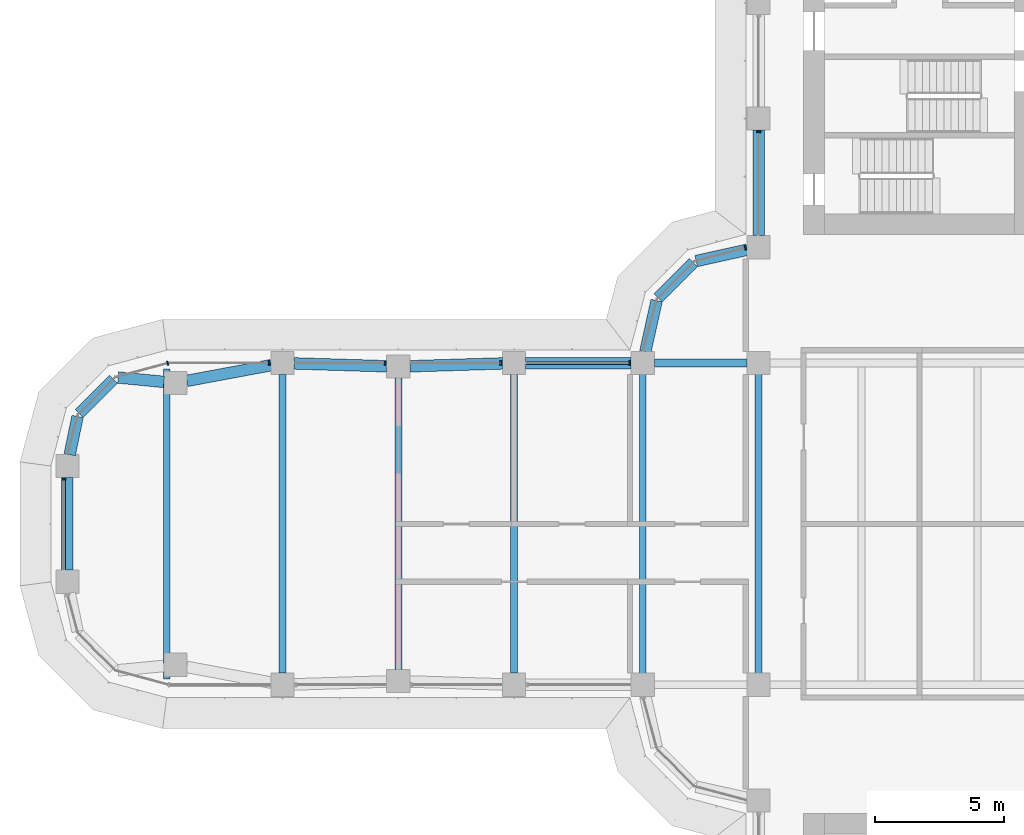
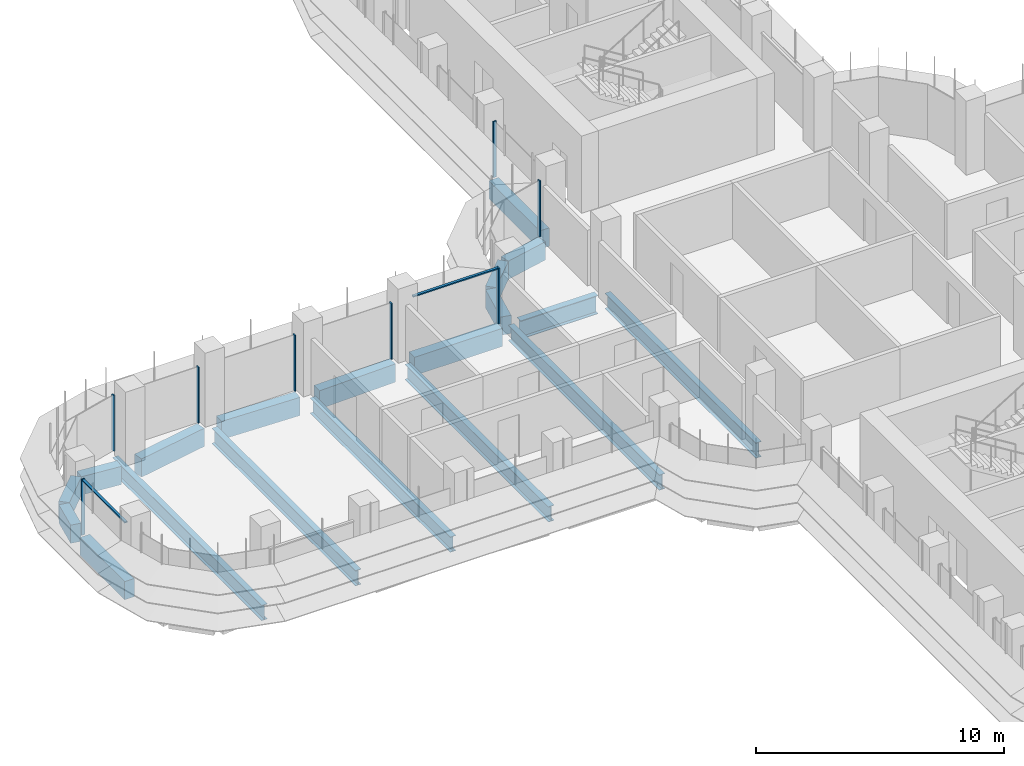
# One storey, part 6 of 22: 19 beams, 10 members, 5 elements without a shape of their own.
"""IFC4 building model written with IfcOpenShell, lengths in metres."""

import ifcopenshell
import ifcopenshell.guid

model = None  # the IFC model being written
_history = None  # IfcOwnerHistory: only IFC2X3 demands one
_inside = {}  # id of a spatial element -> (the spatial element, [elements in it])
_under = {}  # id of a project, library or spatial element -> (it, [spatial elements below it])
_declared = {}  # id of a project -> (the project, [libraries it declares])
_typed = {}  # id of a type object -> (the type object, [elements of that type])
_made_of = {}  # id of a material, layer set ... -> (it, [elements and type objects made of it])


def new_model(schema):
    """Start an empty IFC model of exactly this schema.

    Asked for "IFC4X3", IfcOpenShell would pick the latest addendum, in which some entities
    have other attributes; the version numbers below select the first issue.
    IFC2X3 requires an IfcOwnerHistory on every rooted entity: one is made here for all.
    """
    global model, _history
    if schema == "IFC4X3":
        model = ifcopenshell.file(schema_version=(4, 3, 0, 0))
    else:
        model = ifcopenshell.file(schema=schema)
    _inside.clear()
    _under.clear()
    _declared.clear()
    _typed.clear()
    _made_of.clear()
    _history = None
    if model.schema == "IFC2X3":
        org = make("IfcOrganization", Name="unknown")
        user = make(
            "IfcPersonAndOrganization",
            ThePerson=make("IfcPerson", FamilyName="unknown"),
            TheOrganization=org,
        )
        app = make(
            "IfcApplication",
            ApplicationDeveloper=org,
            Version="unknown",
            ApplicationFullName="unknown",
            ApplicationIdentifier="unknown",
        )
        _history = make(
            "IfcOwnerHistory",
            OwningUser=user,
            OwningApplication=app,
            ChangeAction="ADDED",
            CreationDate=0,
        )
    return model


def make(cls, **values):
    """One entity of the class cls with the attributes given. An attribute that is None is left unset."""
    return model.create_entity(
        cls, **{name: value for name, value in values.items() if value is not None}
    )


def rooted(cls, **values):
    """An entity with a GlobalId (a new one), such as an element, a storey or a relation."""
    return make(cls, GlobalId=ifcopenshell.guid.new(), OwnerHistory=_history, **values)


def si_unit(unit_type, name, prefix=None):
    """IfcSIUnit, for example si_unit("LENGTHUNIT", "METRE", prefix="MILLI")."""
    return make("IfcSIUnit", UnitType=unit_type, Prefix=prefix, Name=name)


def assignment(units):
    """IfcUnitAssignment: the units of a project."""
    return None if units is None else make("IfcUnitAssignment", Units=units)


def point(xyz):
    """IfcCartesianPoint."""
    return None if xyz is None else make("IfcCartesianPoint", Coordinates=xyz)


def direction(xyz):
    """IfcDirection."""
    return None if xyz is None else make("IfcDirection", DirectionRatios=xyz)


def frame(location, z_axis=None, x_axis=None):
    """IfcAxis2Placement3D, a coordinate frame: its origin and axes. An axis left out is left unset."""
    return make(
        "IfcAxis2Placement3D",
        Location=point(location),
        Axis=direction(z_axis),
        RefDirection=direction(x_axis),
    )


def frame_2d(location, x_axis=None):
    """IfcAxis2Placement2D, a coordinate frame in the plane: its origin and x axis."""
    return make(
        "IfcAxis2Placement2D", Location=point(location), RefDirection=direction(x_axis)
    )


def origin():
    """The frame at (0, 0, 0) with its axes left unset."""
    return frame((0.0, 0.0, 0.0))


def origin_2d():
    """The frame at (0, 0) in the plane with its x axis left unset."""
    return frame_2d((0.0, 0.0))


def place(relative_to, where):
    """IfcLocalPlacement: puts the frame where relative to a parent placement (None: the world)."""
    return make(
        "IfcLocalPlacement", PlacementRelTo=relative_to, RelativePlacement=where
    )


def context(
    kind, dimensions, precision=None, world=None, true_north=None, identifier=None
):
    """IfcGeometricRepresentationContext, for example the 3D "Model" context."""
    return make(
        "IfcGeometricRepresentationContext",
        ContextIdentifier=identifier,
        ContextType=kind,
        CoordinateSpaceDimension=dimensions,
        Precision=precision,
        WorldCoordinateSystem=world,
        TrueNorth=true_north,
    )


def subcontext(parent, identifier, kind, view, scale=None):
    """IfcGeometricRepresentationSubContext, for example "Body" below "Model"."""
    return make(
        "IfcGeometricRepresentationSubContext",
        ContextIdentifier=identifier,
        ContextType=kind,
        ParentContext=parent,
        TargetScale=scale,
        TargetView=view,
    )


def project(units=None, contexts=None):
    """IfcProject with its units and contexts."""
    return rooted(
        "IfcProject",
        Name="project",
        RepresentationContexts=contexts,
        UnitsInContext=assignment(units),
    )


def spatial(cls, under=None, at=None, **own):
    """A site, building, storey or space (cls), placed at a placement, below another one or the project."""
    s = rooted(cls, ObjectPlacement=at, **own)
    if under is not None:
        _under.setdefault(under.id(), (under, []))[1].append(s)
    return s


def polyline(points):
    """IfcPolyline through the points."""
    return make("IfcPolyline", Points=[point(p) for p in points])


def profile(cls, at=None, kind="AREA", **sizes):
    """A parametric profile (cls). Its sizes go by their IFC names, for example OverallWidth=200.0."""
    return make(cls, ProfileType=kind, Position=at, **sizes)


def rectangle(**sizes):
    """IfcRectangleProfileDef."""
    return profile("IfcRectangleProfileDef", **sizes)


def i_section(**sizes):
    """IfcIShapeProfileDef."""
    return profile("IfcIShapeProfileDef", **sizes)


def outline(outer, holes=None, kind="AREA"):
    """IfcArbitraryClosedProfileDef: a profile drawn as a closed curve; with holes, ...WithVoids."""
    if holes is None:
        return make("IfcArbitraryClosedProfileDef", ProfileType=kind, OuterCurve=outer)
    return make(
        "IfcArbitraryProfileDefWithVoids",
        ProfileType=kind,
        OuterCurve=outer,
        InnerCurves=holes,
    )


def extrude(swept, where, along, depth):
    """IfcExtrudedAreaSolid: the profile swept, set in the frame where, extruded along a direction by depth."""
    return make(
        "IfcExtrudedAreaSolid",
        SweptArea=swept,
        Position=where,
        ExtrudedDirection=direction(along),
        Depth=depth,
    )


def shape(context_of_items, identifier, shape_type, items):
    """IfcShapeRepresentation: the items that make up one representation, for example the "Body"."""
    return make(
        "IfcShapeRepresentation",
        ContextOfItems=context_of_items,
        RepresentationIdentifier=identifier,
        RepresentationType=shape_type,
        Items=items,
    )


def source(mapping_origin, context_of_items, identifier, shape_type, items):
    """IfcRepresentationMap: a shape defined once, which mapped items show again and again."""
    return make(
        "IfcRepresentationMap",
        MappingOrigin=mapping_origin,
        MappedRepresentation=shape(context_of_items, identifier, shape_type, items),
    )


def transform(
    local_origin,
    x_axis=None,
    y_axis=None,
    z_axis=None,
    scale=None,
    scale2=None,
    scale3=None,
    uniform=True,
):
    """IfcCartesianTransformationOperator3D, or its non-uniform kind. x_axis, y_axis, z_axis: its Axis1, 2, 3."""
    if uniform:
        return make(
            "IfcCartesianTransformationOperator3D",
            Axis1=direction(x_axis),
            Axis2=direction(y_axis),
            LocalOrigin=point(local_origin),
            Scale=scale,
            Axis3=direction(z_axis),
        )
    return make(
        "IfcCartesianTransformationOperator3DnonUniform",
        Axis1=direction(x_axis),
        Axis2=direction(y_axis),
        LocalOrigin=point(local_origin),
        Scale=scale,
        Axis3=direction(z_axis),
        Scale2=scale2,
        Scale3=scale3,
    )


def mapped(mapping_source, mapping_target):
    """IfcMappedItem: shows the shape of a source again, moved by a transform."""
    return make(
        "IfcMappedItem", MappingSource=mapping_source, MappingTarget=mapping_target
    )


def material(Name=None, Category=None):
    """IfcMaterial."""
    return make("IfcMaterial", Name=Name, Category=Category)


def material_profile(
    of_material, cross_section, Name=None, Category=None, Priority=None
):
    """IfcMaterialProfile: a cross section and its material."""
    return make(
        "IfcMaterialProfile",
        Name=Name,
        Material=of_material,
        Profile=cross_section,
        Priority=Priority,
        Category=Category,
    )


def profile_set(profiles, Name=None, composite=None):
    """IfcMaterialProfileSet."""
    return make(
        "IfcMaterialProfileSet",
        Name=Name,
        MaterialProfiles=profiles,
        CompositeProfile=composite,
    )


def made_of(thing, what):
    """Note that an element or type object is made of a material, layer set ...; save() writes the relation."""
    if what is not None:
        _made_of.setdefault(what.id(), (what, []))[1].append(thing)
    return thing


def type_object(cls, material=None, **own):
    """A type object (cls), such as IfcWallType, which elements share."""
    return made_of(rooted(cls, **own), material)


def element(
    cls,
    number,
    at=None,
    inside=None,
    cuts=None,
    type_object=None,
    material=None,
    context=None,
    identifier="Body",
    shape_type=None,
    held_by="IfcProductDefinitionShape",
    body=None,
    shapes=None,
    **own,
):
    """One element of the class cls, such as IfcWall. Its Tag is "e" and its number.

    at: its placement. inside: the storey or other place that contains it. cuts: it is an
    opening in that element (IfcRelVoidsElement). A single representation is given by context,
    identifier, shape_type and body (its items); several are given by shapes. held_by: the class
    of the entity that holds the representations. save() writes the other relations.
    """
    e = rooted(cls, Tag="e%d" % number, ObjectPlacement=at, **own)
    if body is not None:
        shapes = [shape(context, identifier, shape_type, body)]
    if shapes is not None:
        e.Representation = make(held_by, Representations=shapes)
    if inside is not None:
        _inside.setdefault(inside.id(), (inside, []))[1].append(e)
    if cuts is not None:
        rooted(
            "IfcRelVoidsElement", RelatingBuildingElement=cuts, RelatedOpeningElement=e
        )
    if type_object is not None:
        _typed.setdefault(type_object.id(), (type_object, []))[1].append(e)
    return made_of(e, material)


def aggregate(whole, parts):
    """IfcRelAggregates: a whole, such as a stair, and the parts it consists of."""
    return rooted("IfcRelAggregates", RelatingObject=whole, RelatedObjects=parts)


def save(model, path):
    """Write the relations noted so far, then the file.

    IfcRelAggregates (storeys below a building ...), IfcRelContainedInSpatialStructure (elements
    in a storey), IfcRelDefinesByType, IfcRelAssociatesMaterial and IfcRelDeclares: one each for
    every whole, place, type object, material and project.
    """
    for whole, parts in _under.values():
        aggregate(whole, parts)
    for where, things in _inside.values():
        rooted(
            "IfcRelContainedInSpatialStructure",
            RelatedElements=things,
            RelatingStructure=where,
        )
    for kind, things in _typed.values():
        rooted("IfcRelDefinesByType", RelatedObjects=things, RelatingType=kind)
    for what, things in _made_of.values():
        rooted("IfcRelAssociatesMaterial", RelatedObjects=things, RelatingMaterial=what)
    for by, libraries in _declared.values():
        rooted("IfcRelDeclares", RelatingContext=by, RelatedDefinitions=libraries)
    model.write(path)


model = new_model("IFC4")

# Units and contexts
model_context = context("Model", 3, precision=1e-05, world=origin(), true_north=direction((0.0, 1.0)))
body_context = subcontext(model_context, "Body", "Model", "MODEL_VIEW")
ifc_project = project(units=[si_unit("LENGTHUNIT", "METRE"), si_unit("AREAUNIT", "SQUARE_METRE"), si_unit("VOLUMEUNIT", "CUBIC_METRE"), si_unit("PLANEANGLEUNIT", "RADIAN"), si_unit("MASSUNIT", "GRAM", prefix="KILO")], contexts=[model_context])

# Site, building, storey
site_placement = place(None, origin())
site = spatial("IfcSite", under=ifc_project, at=site_placement, CompositionType="ELEMENT")
building_placement = place(site_placement, origin())
building = spatial("IfcBuilding", under=site, at=building_placement, Name="Zarbagh Exchange Tower", CompositionType="ELEMENT")
storey_placement = place(building_placement, frame((0.0, 0.0, 113.199951171875)))
storey = spatial("IfcBuildingStorey", under=building, at=storey_placement, Name="L26", CompositionType="ELEMENT", Elevation=113.199951171875)

# Beams
ifc_material_1 = material(Name="Steel ASTM A992 Gr 50", Category="steel")
ifc_material_profile_1 = material_profile(ifc_material_1, i_section(OverallWidth=0.2666015625, OverallDepth=0.7568359375, WebThickness=0.013916015625, FlangeThickness=0.019287109375, at=origin_2d()), Name="W30X108")
ifc_profile_set_1 = profile_set([ifc_material_profile_1], Name="Steel ASTM A992 Gr 50")
beam_type_1 = type_object("IfcBeamType", Name="Floor beam W30X108", PredefinedType="BEAM", material=ifc_profile_set_1)
for number, where, z_axis, x_axis, name in (
    (1, (-10.75, -6.09765625, -0.5283203125), (0.0, 1.0, 0.0), (-1.0, 0.0, 0.0), "Steel floor beam"),
    (2, (-6.25, -6.09765625, -0.5283203125), (0.0, 1.0, 0.0), (-1.0, 0.0, 0.0), "Steel floor beam"),
):
    element("IfcBeam", number, at=place(storey_placement, frame(where, z_axis=z_axis, x_axis=x_axis)), inside=storey, type_object=beam_type_1, Name=name, PredefinedType="BEAM", context=body_context, shape_type="SweptSolid", body=[
        extrude(i_section(OverallWidth=0.2666015625, OverallDepth=0.7568359375, WebThickness=0.013916015625, FlangeThickness=0.019287109375, at=origin_2d()), origin(), (0.0, 0.0, 1.0), 12.1953125),
    ])
beam_1_placement = place(storey_placement, frame((-15.75, -5.800048828125, -0.5283203125), z_axis=(0.0, 1.0, 0.0), x_axis=(-1.0, 0.0, 0.0)))
element("IfcBeam", 3, at=beam_1_placement, inside=storey, type_object=beam_type_1, Name="Steel floor beam", PredefinedType="BEAM", context=body_context, shape_type="SweptSolid", body=[
    extrude(i_section(OverallWidth=0.2666015625, OverallDepth=0.7568359375, WebThickness=0.013916015625, FlangeThickness=0.019287109375, at=origin_2d()), origin(), (0.0, 0.0, 1.0), 11.60009765625),
])
beam_2_placement = place(storey_placement, frame((-20.25, -5.659912109375, -0.5283203125), z_axis=(0.0, 1.0, 0.0), x_axis=(-1.0, 0.0, 0.0)))
element("IfcBeam", 4, at=beam_2_placement, inside=storey, type_object=beam_type_1, Name="Steel floor beam", PredefinedType="BEAM", context=body_context, shape_type="SweptSolid", body=[
    extrude(i_section(OverallWidth=0.2666015625, OverallDepth=0.7568359375, WebThickness=0.013916015625, FlangeThickness=0.019287109375, at=origin_2d()), origin(), (0.0, 0.0, 1.0), 11.31982421875),
])
beam_3_placement = place(storey_placement, frame((-24.75, -5.800048828125, -0.5283203125), z_axis=(0.0, 1.0, 0.0), x_axis=(-1.0, 0.0, 0.0)))
element("IfcBeam", 5, at=beam_3_placement, inside=storey, type_object=beam_type_1, Name="Steel floor beam", PredefinedType="BEAM", context=body_context, shape_type="SweptSolid", body=[
    extrude(i_section(OverallWidth=0.2666015625, OverallDepth=0.7568359375, WebThickness=0.013916015625, FlangeThickness=0.019287109375, at=origin_2d()), origin(), (0.0, 0.0, 1.0), 11.60009765625),
])
beam_4_placement = place(storey_placement, frame((-29.25, -6.02490234375, -0.5283203125), z_axis=(0.0, 1.0, 0.0), x_axis=(-1.0, 0.0, 0.0)))
element("IfcBeam", 6, at=beam_4_placement, inside=storey, type_object=beam_type_1, Name="Steel floor beam", PredefinedType="BEAM", context=body_context, shape_type="SweptSolid", body=[
    extrude(i_section(OverallWidth=0.2666015625, OverallDepth=0.7568359375, WebThickness=0.013916015625, FlangeThickness=0.019287109375, at=origin_2d()), origin(), (0.0, 0.0, 1.0), 12.0498046875),
])
ifc_material_profile_2 = material_profile(ifc_material_1, i_section(OverallWidth=0.3046875, OverallDepth=0.911865234375, WebThickness=0.015869140625, FlangeThickness=0.02392578125, at=origin_2d()), Name="W36X150")
ifc_profile_set_2 = profile_set([ifc_material_profile_2], Name="Steel ASTM A992 Gr 50")
beam_type_2 = type_object("IfcBeamType", Name="Floor girder W36X150", PredefinedType="BEAM", material=ifc_profile_set_2)
beam_5_placement = place(storey_placement, frame((-10.300048828125, 6.25, -0.60595703125), z_axis=(1.0, 0.0, 0.0), x_axis=(0.0, 1.0, 0.0)))
element("IfcBeam", 7, at=beam_5_placement, inside=storey, type_object=beam_type_2, Name="Steel girder", PredefinedType="BEAM", context=body_context, shape_type="SweptSolid", body=[
    extrude(i_section(OverallWidth=0.3046875, OverallDepth=0.911865234375, WebThickness=0.015869140625, FlangeThickness=0.02392578125, at=origin_2d()), origin(), (0.0, 0.0, 1.0), 3.60009765625),
])
ifc_material_2 = material(Name="Concrete C60/75", Category="concrete")
ifc_material_profile_3 = material_profile(ifc_material_2, rectangle(XDim=0.449951171875, YDim=0.89990234375, at=origin_2d()), Name="RC spandrel beam 450 x 900 C60/75")
ifc_profile_set_3 = profile_set([ifc_material_profile_3], Name="Concrete C60/75")
beam_type_3 = type_object("IfcBeamType", Name="RC spandrel beam 450 x 900 C60/75", PredefinedType="SPANDREL", material=ifc_profile_set_3)
beam_6_placement = place(storey_placement, frame((-33.110107421875, -1.800048828125, -0.599853515625), z_axis=(0.0, 1.0, 0.0), x_axis=(-1.0, 0.0, 0.0)))
element("IfcBeam", 8, at=beam_6_placement, inside=storey, type_object=beam_type_3, Name="RC spandrel beam", PredefinedType="SPANDREL", context=body_context, shape_type="SweptSolid", body=[
    extrude(rectangle(XDim=0.449951171875, YDim=0.89990234375, at=origin_2d()), origin(), (0.0, 0.0, 1.0), 3.60009765625),
])
beam_7_placement = place(storey_placement, frame((-33.01904296875, 2.690673828125, -0.599853515625), z_axis=(0.202275417995, 0.979328675816, 0.0), x_axis=(-0.979328675816, 0.202275417995, 0.0)))
element("IfcBeam", 9, at=beam_7_placement, inside=storey, type_object=beam_type_3, Name="RC spandrel beam", PredefinedType="SPANDREL", context=body_context, shape_type="SweptSolid", body=[
    extrude(rectangle(XDim=0.449951171875, YDim=0.89990234375, at=origin_2d()), origin(), (0.0, 0.0, 1.0), 1.515869140625),
])
beam_8_placement = place(storey_placement, frame((-32.651123046875, 4.288818359375, -0.599853515625), z_axis=(0.707106781187, 0.707106781187, 0.0), x_axis=(-0.707106781187, 0.707106781187, 0.0)))
element("IfcBeam", 10, at=beam_8_placement, inside=storey, type_object=beam_type_3, Name="RC spandrel beam", PredefinedType="SPANDREL", context=body_context, shape_type="SweptSolid", body=[
    extrude(rectangle(XDim=0.449951171875, YDim=0.89990234375, at=origin_2d()), origin(), (0.0, 0.0, 1.0), 1.887939453125),
])
beam_9_placement = place(storey_placement, frame((-31.135498046875, 5.688720703125, -0.599853515625), z_axis=(0.995433267802, -0.095459988228, 0.0), x_axis=(0.095459988228, 0.995433267802, 0.0)))
element("IfcBeam", 11, at=beam_9_placement, inside=storey, type_object=beam_type_3, Name="RC spandrel beam", PredefinedType="SPANDREL", context=body_context, shape_type="SweptSolid", body=[
    extrude(rectangle(XDim=0.449951171875, YDim=0.89990234375, at=origin_2d()), origin(), (0.0, 0.0, 1.0), 1.78759765625),
])
beam_10_placement = place(storey_placement, frame((-28.465576171875, 5.5576171875, -0.599853515625), z_axis=(0.98308156541, 0.183168326277, 0.0), x_axis=(-0.183168326277, 0.98308156541, 0.0)))
element("IfcBeam", 12, at=beam_10_placement, inside=storey, type_object=beam_type_3, Name="RC spandrel beam", PredefinedType="SPANDREL", context=body_context, shape_type="SweptSolid", body=[
    extrude(rectangle(XDim=0.449951171875, YDim=0.89990234375, at=origin_2d()), origin(), (0.0, 0.0, 1.0), 3.32958984375),
])
for number, where, z_axis, x_axis, name in (
    (13, (-24.30029296875, 6.236083984375, -0.599853515625), (0.999516035224, -0.031107801747, 0.0), (0.031107801747, 0.999516035224, 0.0), "RC spandrel beam"),
    (14, (-19.80029296875, 6.1240234375, -0.599853515625), (0.999516035224, 0.031107801747, 0.0), (-0.031107801747, 0.999516035224, 0.0), "RC spandrel beam"),
):
    element("IfcBeam", number, at=place(storey_placement, frame(where, z_axis=z_axis, x_axis=x_axis)), inside=storey, type_object=beam_type_3, Name=name, PredefinedType="SPANDREL", context=body_context, shape_type="SweptSolid", body=[
        extrude(rectangle(XDim=0.449951171875, YDim=0.89990234375, at=origin_2d()), origin(), (0.0, 0.0, 1.0), 3.602294921875),
    ])
beam_11_placement = place(storey_placement, frame((-15.300048828125, 6.25, -0.599853515625), z_axis=(1.0, 0.0, 0.0), x_axis=(0.0, 1.0, 0.0)))
element("IfcBeam", 15, at=beam_11_placement, inside=storey, type_object=beam_type_3, Name="RC spandrel beam", PredefinedType="SPANDREL", context=body_context, shape_type="SweptSolid", body=[
    extrude(rectangle(XDim=0.449951171875, YDim=0.89990234375, at=origin_2d()), origin(), (0.0, 0.0, 1.0), 4.10009765625),
])
beam_12_placement = place(storey_placement, frame((-10.65283203125, 6.689453125, -0.599853515625), z_axis=(0.216117666208, 0.976367325525, 0.0), x_axis=(-0.976367325525, 0.216117666208, 0.0)))
element("IfcBeam", 16, at=beam_12_placement, inside=storey, type_object=beam_type_3, Name="RC spandrel beam", PredefinedType="SPANDREL", context=body_context, shape_type="SweptSolid", body=[
    extrude(rectangle(XDim=0.449951171875, YDim=0.89990234375, at=origin_2d()), origin(), (0.0, 0.0, 1.0), 2.03564453125),
])
beam_13_placement = place(storey_placement, frame((-10.15234375, 8.78759765625, -0.599853515625), z_axis=(0.707106781187, 0.707106781187, 0.0), x_axis=(-0.707106781187, 0.707106781187, 0.0)))
element("IfcBeam", 17, at=beam_13_placement, inside=storey, type_object=beam_type_3, Name="RC spandrel beam", PredefinedType="SPANDREL", context=body_context, shape_type="SweptSolid", body=[
    extrude(rectangle(XDim=0.449951171875, YDim=0.89990234375, at=origin_2d()), origin(), (0.0, 0.0, 1.0), 1.929931640625),
])
beam_14_placement = place(storey_placement, frame((-8.677001953125, 10.212890625, -0.599853515625), z_axis=(0.976367325525, 0.216117666208, 0.0), x_axis=(-0.216117666208, 0.976367325525, 0.0)))
element("IfcBeam", 18, at=beam_14_placement, inside=storey, type_object=beam_type_3, Name="RC spandrel beam", PredefinedType="SPANDREL", context=body_context, shape_type="SweptSolid", body=[
    extrude(rectangle(XDim=0.449951171875, YDim=0.89990234375, at=origin_2d()), origin(), (0.0, 0.0, 1.0), 2.03564453125),
])
beam_15_placement = place(storey_placement, frame((-6.25, 11.199951171875, -0.599853515625), z_axis=(0.0, 1.0, 0.0), x_axis=(-1.0, 0.0, 0.0)))
element("IfcBeam", 19, at=beam_15_placement, inside=storey, type_object=beam_type_3, Name="RC spandrel beam", PredefinedType="SPANDREL", context=body_context, shape_type="SweptSolid", body=[
    extrude(rectangle(XDim=0.449951171875, YDim=0.89990234375, at=origin_2d()), origin(), (0.0, 0.0, 1.0), 4.10009765625),
])

# Curtain wall, member
ifc_material_3 = material(Name="Anodised aluminium frame and glazing", Category="aluminium")
curtain_wall_type = type_object("IfcCurtainWallType", Name="CWA Ribbon glazing, lower zones", PredefinedType="NOTDEFINED", material=ifc_material_3)
curtain_wall_1_placement = place(storey_placement, origin())
curtain_wall_1 = element("IfcCurtainWall", 20, at=curtain_wall_1_placement, inside=storey, type_object=curtain_wall_type, Name="CWA56 curtain wall", PredefinedType="NOTDEFINED")
ifc_material_4 = material(Name="Anodised aluminium frame", Category="aluminium")
member_type_1 = type_object("IfcMemberType", Name="MUA Mullion, anodised aluminium frame", PredefinedType="MULLION", material=ifc_material_4)
shared_shape_1 = source(origin(), body_context, "Body", "SweptSolid", [
    extrude(outline(polyline([(0.0, -0.080078125), (0.06005859375, -0.080078125), (0.06005859375, 0.080078125), (0.0, 0.080078125), (0.0, -0.080078125)])), origin(), (0.0, 0.0, 1.0), 2.75),
])
placement = place(storey_placement, origin())
member_1 = element("IfcMember", 21, at=placement, type_object=member_type_1, Name="CWA56 mullion 4.1", PredefinedType="MULLION", context=body_context, shape_type="MappedRepresentation", body=[
    mapped(shared_shape_1, transform((-6.25, 15.260009765625, 0.0), x_axis=(0.0, -1.0, 0.0), y_axis=(1.0, 0.0, 0.0), z_axis=(0.0, 0.0, 1.0))),
])
aggregate(curtain_wall_1, [member_1])

curtain_wall_2_placement = place(storey_placement, origin())
curtain_wall_2 = element("IfcCurtainWall", 22, at=curtain_wall_2_placement, inside=storey, type_object=curtain_wall_type, Name="CWA29 curtain wall", PredefinedType="NOTDEFINED")
member_2 = element("IfcMember", 23, at=placement, type_object=member_type_1, Name="CWA29 mullion 1.1", PredefinedType="MULLION", context=body_context, shape_type="MappedRepresentation", body=[
    mapped(shared_shape_1, transform((-6.739990234375, 10.735107421875, 0.0), x_axis=(-0.965924289636, -0.258824779902, 0.0), y_axis=(0.258824779902, -0.965924289636, 0.0), z_axis=(0.0, 0.0, 1.0))),
])
aggregate(curtain_wall_2, [member_2])

# Curtain wall, members
curtain_wall_3_placement = place(storey_placement, origin())
curtain_wall_3 = element("IfcCurtainWall", 24, at=curtain_wall_3_placement, inside=storey, type_object=curtain_wall_type, Name="CWA32 curtain wall", PredefinedType="NOTDEFINED")
member_3 = element("IfcMember", 25, at=placement, type_object=member_type_1, Name="CWA32 mullion 1.1", PredefinedType="MULLION", context=body_context, shape_type="MappedRepresentation", body=[
    mapped(shared_shape_1, transform((-11.239990234375, 6.25, 0.0), x_axis=(-1.0, 0.0, 0.0), y_axis=(0.0, -1.0, 0.0), z_axis=(0.0, 0.0, 1.0))),
])
member_4 = element("IfcMember", 26, at=placement, type_object=member_type_1, Name="CWA32 mullion 2.1", PredefinedType="MULLION", context=body_context, shape_type="MappedRepresentation", body=[
    mapped(shared_shape_1, transform((-16.239990234375, 6.25, 0.0), x_axis=(-1.0, 0.0, 0.0), y_axis=(0.0, -1.0, 0.0), z_axis=(0.0, 0.0, 1.0))),
])
member_5 = element("IfcMember", 27, at=placement, type_object=member_type_1, Name="CWA32 mullion 3.1", PredefinedType="MULLION", context=body_context, shape_type="MappedRepresentation", body=[
    mapped(shared_shape_1, transform((-20.739990234375, 6.25, 0.0), x_axis=(-1.0, 0.0, 0.0), y_axis=(0.0, -1.0, 0.0), z_axis=(0.0, 0.0, 1.0))),
])
member_6 = element("IfcMember", 28, at=placement, type_object=member_type_1, Name="CWA32 mullion 4.1", PredefinedType="MULLION", context=body_context, shape_type="MappedRepresentation", body=[
    mapped(shared_shape_1, transform((-25.239990234375, 6.25, 0.0), x_axis=(-1.0, 0.0, 0.0), y_axis=(0.0, -1.0, 0.0), z_axis=(0.0, 0.0, 1.0))),
])

# Curtain wall, member
curtain_wall_4_placement = place(storey_placement, origin())
curtain_wall_4 = element("IfcCurtainWall", 29, at=curtain_wall_4_placement, inside=storey, type_object=curtain_wall_type, Name="CWA33 curtain wall", PredefinedType="NOTDEFINED")
member_7 = element("IfcMember", 30, at=placement, type_object=member_type_1, Name="CWA33 mullion 1.1", PredefinedType="MULLION", context=body_context, shape_type="MappedRepresentation", body=[
    mapped(shared_shape_1, transform((-29.18408203125, 6.25, 0.0), x_axis=(-0.965924289636, -0.258824779902, 0.0), y_axis=(0.258824779902, -0.965924289636, 0.0), z_axis=(0.0, 0.0, 1.0))),
])
aggregate(curtain_wall_4, [member_7])

curtain_wall_5_placement = place(storey_placement, origin())
curtain_wall_5 = element("IfcCurtainWall", 31, at=curtain_wall_5_placement, inside=storey, type_object=curtain_wall_type, Name="CWA36 curtain wall", PredefinedType="NOTDEFINED")
member_8 = element("IfcMember", 32, at=placement, type_object=member_type_1, Name="CWA36 mullion 1.1", PredefinedType="MULLION", context=body_context, shape_type="MappedRepresentation", body=[
    mapped(shared_shape_1, transform((-33.25, 1.760009765625, 0.0), x_axis=(0.0, -1.0, 0.0), y_axis=(1.0, 0.0, 0.0), z_axis=(0.0, 0.0, 1.0))),
])

# Member
member_type_2 = type_object("IfcMemberType", Name="TRA Transom, anodised aluminium frame", PredefinedType="USERDEFINED", material=ifc_material_4)
shared_shape_2 = source(origin(), body_context, "Body", "SweptSolid", [
    extrude(outline(polyline([(-0.06005859375, -0.06005859375), (0.0, -0.06005859375), (0.0, 0.06005859375), (-0.06005859375, 0.06005859375), (-0.06005859375, -0.06005859375)])), origin(), (0.0, 0.0, 1.0), 3.9599609375),
])
member_9 = element("IfcMember", 33, at=placement, type_object=member_type_2, Name="CWA32 transom 1.1", ObjectType="TRANSOM", PredefinedType="USERDEFINED", context=body_context, shape_type="MappedRepresentation", body=[
    mapped(shared_shape_2, transform((-11.300048828125, 6.25, 2.75), x_axis=(0.0, 0.0, 1.0), y_axis=(0.0, 1.0, 0.0), z_axis=(-1.0, 0.0, 0.0))),
])

aggregate(curtain_wall_3, [member_3, member_9, member_4, member_5, member_6])

shared_shape_3 = source(origin(), body_context, "Body", "SweptSolid", [
    extrude(outline(polyline([(-0.06005859375, -0.06005859375), (0.0, -0.06005859375), (0.0, 0.06005859375), (-0.06005859375, 0.06005859375), (-0.06005859375, -0.06005859375)])), origin(), (0.0, 0.0, 1.0), 3.4599609375),
])
member_10 = element("IfcMember", 34, at=placement, type_object=member_type_2, Name="CWA36 transom 1.1", ObjectType="TRANSOM", PredefinedType="USERDEFINED", context=body_context, shape_type="MappedRepresentation", body=[
    mapped(shared_shape_3, transform((-33.25, 1.699951171875, 2.75), x_axis=(0.0, 0.0, 1.0), y_axis=(-1.0, 0.0, 0.0), z_axis=(0.0, -1.0, 0.0))),
])

aggregate(curtain_wall_5, [member_8, member_10])

save(model, "model.ifc")
